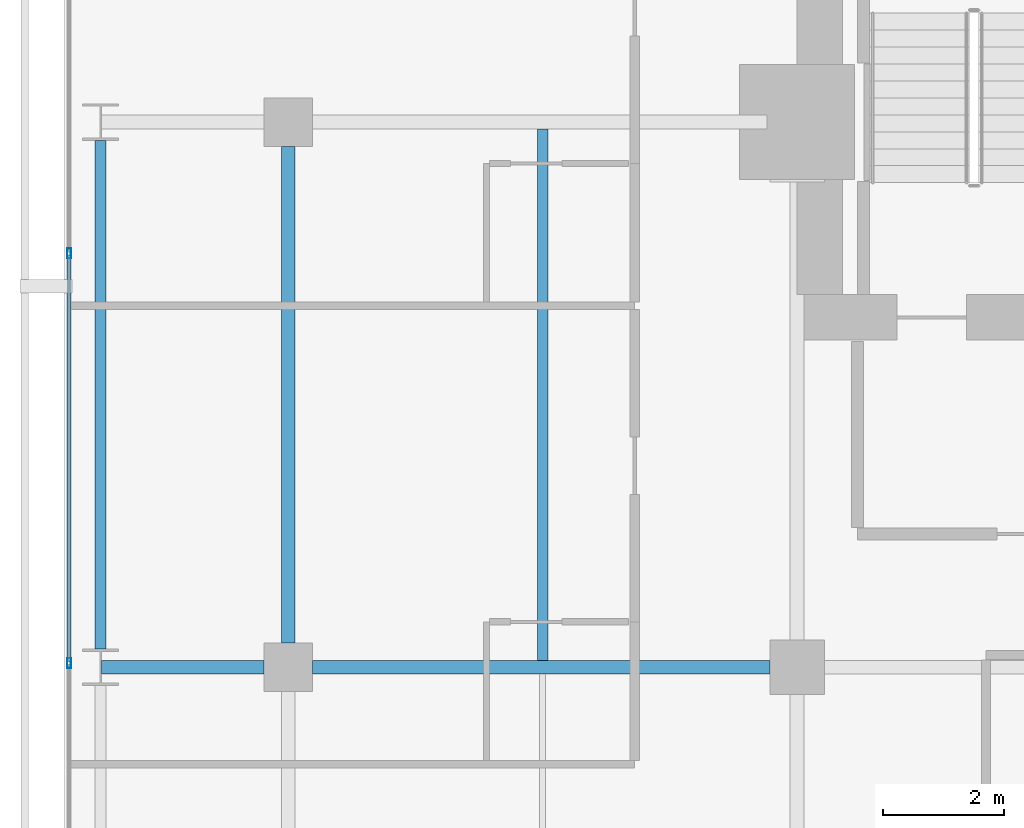
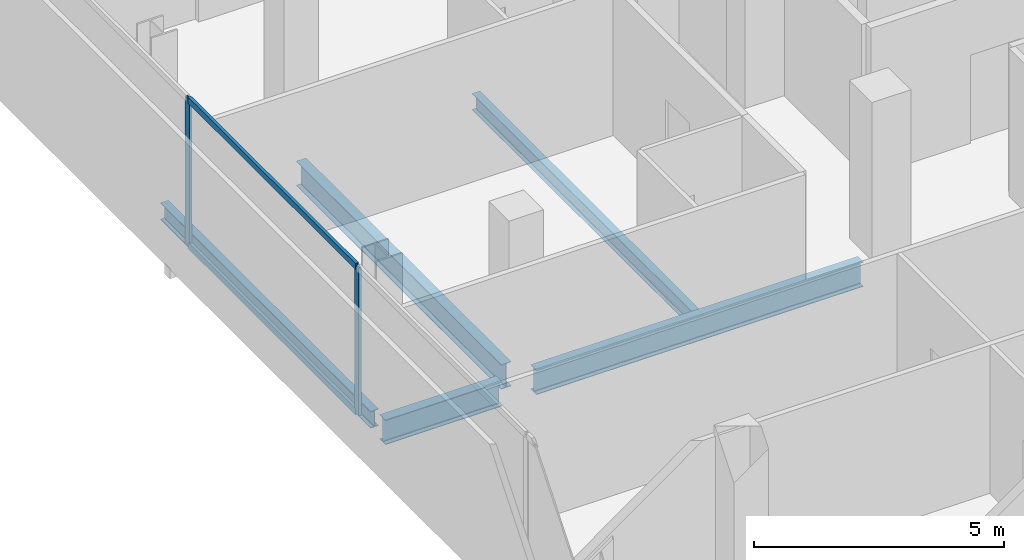
# One storey, part 18 of 34: 5 beams, 4 members, 1 element without a shape of its own.
"""IFC4 building model written with IfcOpenShell, lengths in metres."""

from ifc_helpers import new_model, si_unit, direction, frame, origin, origin_2d, place, context, subcontext, project, spatial, hollow_rectangle, i_section, extrude, material, layer, layer_set, material_profile, profile_set, type_object, element, aggregate, save


model = new_model("IFC4")

# Units and contexts
model_context = context("Model", 3, precision=1e-05, world=origin(), true_north=direction((0.0, 1.0)))
body_context = subcontext(model_context, "Body", "Model", "MODEL_VIEW")
ifc_project = project(units=[si_unit("LENGTHUNIT", "METRE"), si_unit("AREAUNIT", "SQUARE_METRE"), si_unit("VOLUMEUNIT", "CUBIC_METRE"), si_unit("PLANEANGLEUNIT", "RADIAN"), si_unit("MASSUNIT", "GRAM", prefix="KILO")], contexts=[model_context])

# Site, building, storey
site_placement = place(None, origin())
site = spatial("IfcSite", under=ifc_project, at=site_placement, CompositionType="ELEMENT")
building_placement = place(site_placement, origin())
building = spatial("IfcBuilding", under=site, at=building_placement, Name="Maruvema Waterfront Hotel and Observation Tower", CompositionType="ELEMENT")
storey_placement = place(building_placement, frame((0.0, 0.0, 189.0)))
storey = spatial("IfcBuildingStorey", under=building, at=storey_placement, Name="L46", CompositionType="ELEMENT", Elevation=189.0)

# Curtain wall, members
ifc_material_1 = material(Name="Anodised bronze aluminium and solar-control low-E IGU", Category="aluminium")
ifc_layer = layer(ifc_material_1, 0.159912109375, Name="Zone 2 Amber Inner Thermal Curtain Wall System CW-03")
ifc_layer_set = layer_set([ifc_layer], Name="Anodised bronze aluminium and solar-control low-E IGU")
curtain_wall_type = type_object("IfcCurtainWallType", Name="Zone 2 Amber Inner Thermal Curtain Wall System CW-03", PredefinedType="USERDEFINED", material=ifc_layer_set)
curtain_wall_placement = place(storey_placement, origin())
curtain_wall = element("IfcCurtainWall", 1, at=curtain_wall_placement, inside=storey, type_object=curtain_wall_type, Name="L46 Curtain Wall CW-L46-W", ObjectType="UNITISED CURTAIN WALL", PredefinedType="USERDEFINED")
ifc_material_2 = material(Name="Anodised architectural bronze aluminium", Category="aluminium")
ifc_material_profile_1 = material_profile(ifc_material_2, hollow_rectangle(XDim=0.070068359375, YDim=0.14990234375, WallThickness=0.00390625, at=origin_2d()), Name="ALU-T70x150")
ifc_profile_set_1 = profile_set([ifc_material_profile_1], Name="Anodised architectural bronze aluminium")
member_type_1 = type_object("IfcMemberType", Name="Curtain Wall Horizontal Transom ALU-T70x150", PredefinedType="USERDEFINED", material=ifc_profile_set_1)
member_1_placement = place(storey_placement, frame((13.179931640625, 42.80322265625, 0.030029296875), z_axis=(0.0, -1.0, 0.0), x_axis=(1.0, 0.0, 0.0)))
member_1 = element("IfcMember", 2, at=member_1_placement, type_object=member_type_1, Name="CW-03 transom 2.1", ObjectType="TRANSOM", PredefinedType="USERDEFINED", context=body_context, shape_type="SweptSolid", body=[
    extrude(hollow_rectangle(XDim=0.070068359375, YDim=0.14990234375, WallThickness=0.00390625, at=origin_2d()), origin(), (0.0, 0.0, 1.0), 6.70654296875),
])
member_2_placement = place(storey_placement, frame((13.179931640625, 42.80322265625, 3.580078125), z_axis=(0.0, -1.0, 0.0), x_axis=(1.0, 0.0, 0.0)))
member_2 = element("IfcMember", 3, at=member_2_placement, type_object=member_type_1, Name="CW-03 transom 2.2", ObjectType="TRANSOM", PredefinedType="USERDEFINED", context=body_context, shape_type="SweptSolid", body=[
    extrude(hollow_rectangle(XDim=0.070068359375, YDim=0.14990234375, WallThickness=0.00390625, at=origin_2d()), origin(), (0.0, 0.0, 1.0), 6.70654296875),
])
ifc_material_3 = material(Name="Anodised architectural bronze aluminium", Category="aluminium")
ifc_material_profile_2 = material_profile(ifc_material_3, hollow_rectangle(XDim=0.06494140625, YDim=0.1650390625, WallThickness=0.00390625, at=origin_2d()), Name="ALU-M65x165")
ifc_profile_set_2 = profile_set([ifc_material_profile_2], Name="Anodised architectural bronze aluminium")
member_type_2 = type_object("IfcMemberType", Name="Curtain Wall Primary Mullion ALU-M65x165", PredefinedType="MULLION", material=ifc_profile_set_2)
member_3_placement = place(storey_placement, frame((13.179931640625, 42.833251953125, 0.0), z_axis=(0.0, 0.0, 1.0), x_axis=(1.0, 0.0, 0.0)))
member_3 = element("IfcMember", 4, at=member_3_placement, type_object=member_type_2, Name="CW-03 mullion 2", PredefinedType="MULLION", context=body_context, shape_type="SweptSolid", body=[
    extrude(hollow_rectangle(XDim=0.06494140625, YDim=0.1650390625, WallThickness=0.00390625, at=origin_2d()), origin(), (0.0, 0.0, 1.0), 3.610107421875),
])
member_4_placement = place(storey_placement, frame((13.179931640625, 36.066650390625, 0.0), z_axis=(0.0, 0.0, 1.0), x_axis=(1.0, 0.0, 0.0)))
member_4 = element("IfcMember", 5, at=member_4_placement, type_object=member_type_2, Name="CW-03 mullion 3", PredefinedType="MULLION", context=body_context, shape_type="SweptSolid", body=[
    extrude(hollow_rectangle(XDim=0.06494140625, YDim=0.1650390625, WallThickness=0.00390625, at=origin_2d()), origin(), (0.0, 0.0, 1.0), 3.610107421875),
])
aggregate(curtain_wall, [member_3, member_4, member_1, member_2])

# Beams
ifc_material_4 = material(Name="Steel ASTM A572 Grade 50", Category="steel")
ifc_material_profile_3 = material_profile(ifc_material_4, i_section(OverallWidth=0.180908203125, OverallDepth=0.4169921875, WebThickness=0.010986328125, FlangeThickness=0.018310546875, FilletRadius=0.014892578125, at=origin_2d()), Name="W410x85.0")
ifc_profile_set_3 = profile_set([ifc_material_profile_3], Name="Steel ASTM A572 Grade 50")
beam_type_1 = type_object("IfcBeamType", Name="Perimeter Spandrel Beam W410x85.0", PredefinedType="SPANDREL", material=ifc_profile_set_3)
beam_1_placement = place(storey_placement, frame((13.699951171875, 36.300048828125, -0.448486328125), z_axis=(0.0, 1.0, 0.0), x_axis=(-1.0, 0.0, 0.0)))
element("IfcBeam", 6, at=beam_1_placement, inside=storey, type_object=beam_type_1, Name="L46 Floor Girder NS-04", PredefinedType="SPANDREL", context=body_context, shape_type="SweptSolid", body=[
    extrude(i_section(OverallWidth=0.180908203125, OverallDepth=0.4169921875, WebThickness=0.010986328125, FlangeThickness=0.018310546875, FilletRadius=0.014892578125, at=origin_2d()), origin(), (0.0, 0.0, 1.0), 8.39990234375),
])
ifc_material_5 = material(Name="Steel ASTM A572 Grade 50", Category="steel")
ifc_material_profile_4 = material_profile(ifc_material_5, i_section(OverallWidth=0.22802734375, OverallDepth=0.60302734375, WebThickness=0.010498046875, FlangeThickness=0.014892578125, FilletRadius=0.01806640625, at=origin_2d()), Name="W610x101.0")
ifc_profile_set_4 = profile_set([ifc_material_profile_4], Name="Steel ASTM A572 Grade 50")
beam_type_2 = type_object("IfcBeamType", Name="Primary Floor Girder W610x101.0", PredefinedType="BEAM", material=ifc_profile_set_4)
beam_2_placement = place(storey_placement, frame((13.71240234375, 36.0, -0.54150390625), z_axis=(1.0, 0.0, 0.0), x_axis=(0.0, 1.0, 0.0)))
element("IfcBeam", 7, at=beam_2_placement, inside=storey, type_object=beam_type_2, Name="L46 Floor Girder EW-23", PredefinedType="BEAM", context=body_context, shape_type="SweptSolid", body=[
    extrude(i_section(OverallWidth=0.22802734375, OverallDepth=0.60302734375, WebThickness=0.010498046875, FlangeThickness=0.014892578125, FilletRadius=0.01806640625, at=origin_2d()), origin(), (0.0, 0.0, 1.0), 2.6875),
])
beam_3_placement = place(storey_placement, frame((17.199951171875, 36.0, -0.54150390625), z_axis=(1.0, 0.0, 0.0), x_axis=(0.0, 1.0, 0.0)))
element("IfcBeam", 8, at=beam_3_placement, inside=storey, type_object=beam_type_2, Name="L46 Floor Girder EW-24", PredefinedType="BEAM", context=body_context, shape_type="SweptSolid", body=[
    extrude(i_section(OverallWidth=0.22802734375, OverallDepth=0.60302734375, WebThickness=0.010498046875, FlangeThickness=0.014892578125, FilletRadius=0.01806640625, at=origin_2d()), origin(), (0.0, 0.0, 1.0), 7.550048828125),
])
beam_4_placement = place(storey_placement, frame((16.800048828125, 36.39990234375, -0.54150390625), z_axis=(0.0, 1.0, 0.0), x_axis=(-1.0, 0.0, 0.0)))
element("IfcBeam", 9, at=beam_4_placement, inside=storey, type_object=beam_type_2, Name="L46 Floor Girder NS-08", PredefinedType="BEAM", context=body_context, shape_type="SweptSolid", body=[
    extrude(i_section(OverallWidth=0.22802734375, OverallDepth=0.60302734375, WebThickness=0.010498046875, FlangeThickness=0.014892578125, FilletRadius=0.01806640625, at=origin_2d()), origin(), (0.0, 0.0, 1.0), 8.2001953125),
])
ifc_material_6 = material(Name="Steel ASTM A572 Grade 50", Category="steel")
ifc_material_profile_5 = material_profile(ifc_material_6, i_section(OverallWidth=0.177001953125, OverallDepth=0.403076171875, WebThickness=0.007568359375, FlangeThickness=0.010986328125, FilletRadius=0.014892578125, at=origin_2d()), Name="W410x53.0")
ifc_profile_set_5 = profile_set([ifc_material_profile_5], Name="Steel ASTM A572 Grade 50")
beam_type_3 = type_object("IfcBeamType", Name="Secondary Floor Joist W410x53.0", PredefinedType="JOIST", material=ifc_profile_set_5)
beam_5_placement = place(storey_placement, frame((21.0, 36.114013671875, -0.44140625), z_axis=(0.0, 1.0, 0.0), x_axis=(-1.0, 0.0, 0.0)))
element("IfcBeam", 10, at=beam_5_placement, inside=storey, type_object=beam_type_3, Name="L46 Secondary Floor Joist JS-04", PredefinedType="JOIST", context=body_context, shape_type="SweptSolid", body=[
    extrude(i_section(OverallWidth=0.177001953125, OverallDepth=0.403076171875, WebThickness=0.007568359375, FlangeThickness=0.010986328125, FilletRadius=0.014892578125, at=origin_2d()), origin(), (0.0, 0.0, 1.0), 8.77197265625),
])

save(model, "model.ifc")
